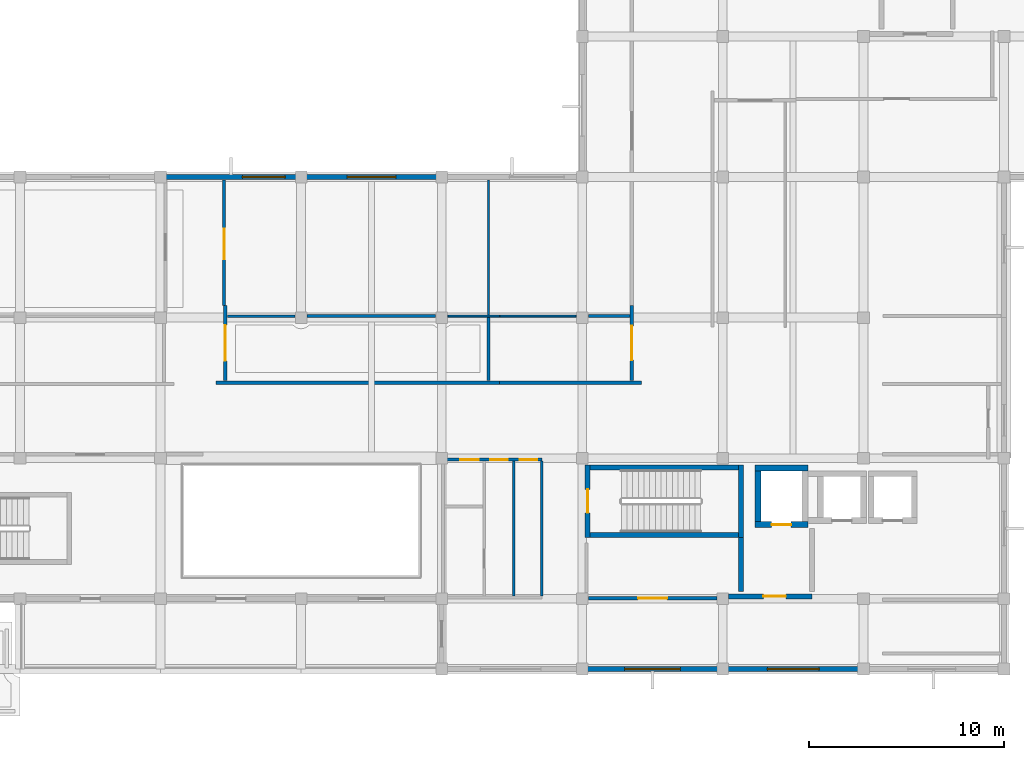
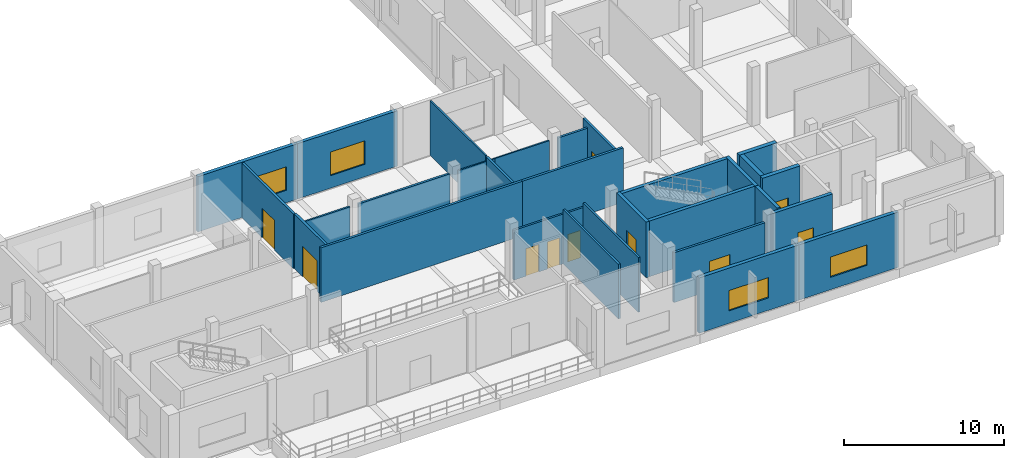
# One storey, part 5 of 14: 29 walls, 10 doors, 4 windows, 14 openings.
"""IFC4 building model written with IfcOpenShell, lengths in metres."""

from ifc_helpers import new_model, si_unit, direction, frame, frame_2d, origin, place, context, subcontext, project, spatial, rectangle, extrude, material, layer, layer_set, type_object, element, fill, save


model = new_model("IFC4")

# Units and contexts
model_context = context("Model", 3, precision=1e-05, world=origin(), true_north=direction((0.0, 1.0)))
body_context = subcontext(model_context, "Body", "Model", "MODEL_VIEW")
ifc_project = project(units=[si_unit("LENGTHUNIT", "METRE"), si_unit("AREAUNIT", "SQUARE_METRE"), si_unit("VOLUMEUNIT", "CUBIC_METRE"), si_unit("PLANEANGLEUNIT", "RADIAN"), si_unit("MASSUNIT", "GRAM", prefix="KILO")], contexts=[model_context])

# Site, building, storey
site_placement = place(None, origin())
site = spatial("IfcSite", under=ifc_project, at=site_placement, CompositionType="ELEMENT")
building_placement = place(site_placement, origin())
building = spatial("IfcBuilding", under=site, at=building_placement, Name="Seraya Terrace Polytechnic", CompositionType="ELEMENT")
storey_placement = place(building_placement, frame((0.0, 0.0, 27.89990234375)))
storey = spatial("IfcBuildingStorey", under=building, at=storey_placement, Name="L06", CompositionType="ELEMENT", Elevation=27.89990234375)

# Wall, opening, window
ifc_material_1 = material(Name="Precast concrete C40/50", Category="concrete")
ifc_layer_1 = layer(ifc_material_1, 0.260009765625, Name="EW-03")
ifc_layer_set_1 = layer_set([ifc_layer_1], Name="Precast concrete C40/50")
wall_type_1 = type_object("IfcWallType", Name="EW-03", PredefinedType="SOLIDWALL", material=ifc_layer_set_1)
wall_1_placement = place(storey_placement, frame((93.60009765625, 3.60009765625, 0.0), z_axis=(0.0, 0.0, 1.0), x_axis=(-1.0, 0.0, 0.0)))
wall_1 = element("IfcWall", 1, at=wall_1_placement, inside=storey, type_object=wall_type_1, Name="Exterior structural wall EW-03 L06", PredefinedType="SOLIDWALL", context=body_context, shape_type="SweptSolid", body=[
    extrude(rectangle(XDim=7.2001953125, YDim=0.260009765625, at=frame_2d((3.60009765625, 0.0))), origin(), (0.0, 0.0, 1.0), 4.22021484375),
])
opening_1_placement = place(wall_1_placement, frame((2.27490234375, 0.0, 0.949951171875)))
opening_1 = element("IfcOpeningElement", 2, at=opening_1_placement, cuts=wall_1, Name="Opening WN-22", PredefinedType="OPENING", context=body_context, shape_type="SweptSolid", body=[
    extrude(rectangle(XDim=2.64990234375, YDim=1.550048828125, at=frame_2d((1.324951171875, 0.77490234375))), frame((0.0, 0.14208984375, 0.0), z_axis=(0.0, -1.0, 0.0), x_axis=(1.0, 0.0, 0.0)), (0.0, 0.0, 1.0), 0.283935546875),
])
ifc_material_2 = material(Name="Laminated solar-control Low-E double glazing", Category="glass")
window_type_1 = type_object("IfcWindowType", Name="WN-22", PartitioningType="SINGLE_PANEL", PredefinedType="WINDOW", material=ifc_material_2)
window_1_placement = place(opening_1_placement, origin())
window_1 = element("IfcWindow", 3, at=window_1_placement, inside=storey, type_object=window_type_1, Name="Exterior window WN-22 L06", OverallHeight=1.550048828125, OverallWidth=2.64990234375, PartitioningType="SINGLE_PANEL", PredefinedType="WINDOW", context=body_context, shape_type="SweptSolid", body=[
    extrude(rectangle(XDim=2.64990234375, YDim=1.550048828125, at=frame_2d((1.324951171875, 0.77490234375))), frame((0.0, 0.030029296875, 0.0), z_axis=(0.0, -1.0, 0.0), x_axis=(1.0, 0.0, 0.0)), (0.0, 0.0, 1.0), 0.06005859375),
])
fill(opening_1, window_1)

wall_2_placement = place(storey_placement, frame((86.39990234375, 3.60009765625, 0.0), z_axis=(0.0, 0.0, 1.0), x_axis=(-1.0, 0.0, 0.0)))
wall_2 = element("IfcWall", 4, at=wall_2_placement, inside=storey, type_object=wall_type_1, Name="Exterior structural wall EW-03 L06", PredefinedType="SOLIDWALL", context=body_context, shape_type="SweptSolid", body=[
    extrude(rectangle(XDim=7.199951171875, YDim=0.260009765625, at=frame_2d((3.60009765625, 0.0))), origin(), (0.0, 0.0, 1.0), 4.22021484375),
])
opening_2_placement = place(wall_2_placement, frame((2.175048828125, 0.0, 0.949951171875)))
opening_2 = element("IfcOpeningElement", 5, at=opening_2_placement, cuts=wall_2, Name="Opening WN-23", PredefinedType="OPENING", context=body_context, shape_type="SweptSolid", body=[
    extrude(rectangle(XDim=2.85009765625, YDim=1.550048828125, at=frame_2d((1.425048828125, 0.77490234375))), frame((0.0, 0.14208984375, 0.0), z_axis=(0.0, -1.0, 0.0), x_axis=(1.0, 0.0, 0.0)), (0.0, 0.0, 1.0), 0.283935546875),
])
window_type_2 = type_object("IfcWindowType", Name="WN-23", PartitioningType="SINGLE_PANEL", PredefinedType="WINDOW", material=ifc_material_2)
window_2_placement = place(opening_2_placement, origin())
window_2 = element("IfcWindow", 6, at=window_2_placement, inside=storey, type_object=window_type_2, Name="Exterior window WN-23 L06", OverallHeight=1.550048828125, OverallWidth=2.85009765625, PartitioningType="SINGLE_PANEL", PredefinedType="WINDOW", context=body_context, shape_type="SweptSolid", body=[
    extrude(rectangle(XDim=2.85009765625, YDim=1.550048828125, at=frame_2d((1.425048828125, 0.77490234375))), frame((0.0, 0.030029296875, 0.0), z_axis=(0.0, -1.0, 0.0), x_axis=(1.0, 0.0, 0.0)), (0.0, 0.0, 1.0), 0.06005859375),
])
fill(opening_2, window_2)

wall_3_placement = place(storey_placement, frame((57.60009765625, 28.800048828125, 0.0), z_axis=(0.0, 0.0, 1.0), x_axis=(1.0, 0.0, 0.0)))
wall_3 = element("IfcWall", 7, at=wall_3_placement, inside=storey, type_object=wall_type_1, Name="Exterior structural wall EW-03 L06", PredefinedType="SOLIDWALL", context=body_context, shape_type="SweptSolid", body=[
    extrude(rectangle(XDim=7.199951171875, YDim=0.260009765625, at=frame_2d((3.60009765625, 0.0))), origin(), (0.0, 0.0, 1.0), 4.22021484375),
])
opening_3_placement = place(wall_3_placement, frame((4.18505859375, 0.0, 0.949951171875)))
opening_3 = element("IfcOpeningElement", 8, at=opening_3_placement, cuts=wall_3, Name="Opening WN-31", PredefinedType="OPENING", context=body_context, shape_type="SweptSolid", body=[
    extrude(rectangle(XDim=2.199951171875, YDim=1.800048828125, at=frame_2d((1.10009765625, 0.89990234375))), frame((0.0, 0.14208984375, 0.0), z_axis=(0.0, -1.0, 0.0), x_axis=(1.0, 0.0, 0.0)), (0.0, 0.0, 1.0), 0.283935546875),
])
window_type_3 = type_object("IfcWindowType", Name="WN-31", PartitioningType="SINGLE_PANEL", PredefinedType="WINDOW", material=ifc_material_2)
window_3_placement = place(opening_3_placement, origin())
window_3 = element("IfcWindow", 9, at=window_3_placement, inside=storey, type_object=window_type_3, Name="Exterior window WN-31 L06", OverallHeight=1.800048828125, OverallWidth=2.199951171875, PartitioningType="SINGLE_PANEL", PredefinedType="WINDOW", context=body_context, shape_type="SweptSolid", body=[
    extrude(rectangle(XDim=2.199951171875, YDim=1.800048828125, at=frame_2d((1.10009765625, 0.89990234375))), frame((0.0, 0.030029296875, 0.0), z_axis=(0.0, -1.0, 0.0), x_axis=(1.0, 0.0, 0.0)), (0.0, 0.0, 1.0), 0.06005859375),
])
fill(opening_3, window_3)

wall_4_placement = place(storey_placement, frame((64.800048828125, 28.800048828125, 0.0), z_axis=(0.0, 0.0, 1.0), x_axis=(1.0, 0.0, 0.0)))
wall_4 = element("IfcWall", 10, at=wall_4_placement, inside=storey, type_object=wall_type_1, Name="Exterior structural wall EW-03 L06", PredefinedType="SOLIDWALL", context=body_context, shape_type="SweptSolid", body=[
    extrude(rectangle(XDim=7.199951171875, YDim=0.260009765625, at=frame_2d((3.60009765625, 0.0))), origin(), (0.0, 0.0, 1.0), 4.22021484375),
])
opening_4_placement = place(wall_4_placement, frame((2.35009765625, 0.0, 0.949951171875)))
opening_4 = element("IfcOpeningElement", 11, at=opening_4_placement, cuts=wall_4, Name="Opening WN-32", PredefinedType="OPENING", context=body_context, shape_type="SweptSolid", body=[
    extrude(rectangle(XDim=2.5, YDim=1.800048828125, at=frame_2d((1.25, 0.89990234375))), frame((0.0, 0.14208984375, 0.0), z_axis=(0.0, -1.0, 0.0), x_axis=(1.0, 0.0, 0.0)), (0.0, 0.0, 1.0), 0.283935546875),
])
window_type_4 = type_object("IfcWindowType", Name="WN-32", PartitioningType="SINGLE_PANEL", PredefinedType="WINDOW", material=ifc_material_2)
window_4_placement = place(opening_4_placement, origin())
window_4 = element("IfcWindow", 12, at=window_4_placement, inside=storey, type_object=window_type_4, Name="Exterior window WN-32 L06", OverallHeight=1.800048828125, OverallWidth=2.5, PartitioningType="SINGLE_PANEL", PredefinedType="WINDOW", context=body_context, shape_type="SweptSolid", body=[
    extrude(rectangle(XDim=2.5, YDim=1.800048828125, at=frame_2d((1.25, 0.89990234375))), frame((0.0, 0.030029296875, 0.0), z_axis=(0.0, -1.0, 0.0), x_axis=(1.0, 0.0, 0.0)), (0.0, 0.0, 1.0), 0.06005859375),
])
fill(opening_4, window_4)

# Walls
ifc_material_3 = material(Name="Autoclaved aerated concrete blockwork", Category="masonry")
ifc_layer_2 = layer(ifc_material_3, 0.169921875, Name="PT-02")
ifc_layer_set_2 = layer_set([ifc_layer_2], Name="Autoclaved aerated concrete blockwork")
wall_type_2 = type_object("IfcWallType", Name="PT-02", PredefinedType="PARTITIONING", material=ifc_layer_set_2)
wall_5_placement = place(storey_placement, frame((60.429931640625, 18.27001953125, 0.0), z_axis=(0.0, 0.0, 1.0), x_axis=(1.0, 0.0, 0.0)))
element("IfcWall", 13, at=wall_5_placement, inside=storey, type_object=wall_type_2, Name="Internal partition PT-02 L06", PredefinedType="PARTITIONING", context=body_context, shape_type="SweptSolid", body=[
    extrude(rectangle(XDim=14.530029296875, YDim=0.169921875, at=frame_2d((7.26513671875, 0.0))), origin(), (0.0, 0.0, 1.0), 4.16015625),
])
wall_6_placement = place(storey_placement, frame((74.9599609375, 18.27001953125, 0.0), z_axis=(0.0, 0.0, 1.0), x_axis=(1.0, 0.0, 0.0)))
element("IfcWall", 14, at=wall_6_placement, inside=storey, type_object=wall_type_2, Name="Internal partition PT-02 L06", PredefinedType="PARTITIONING", context=body_context, shape_type="SweptSolid", body=[
    extrude(rectangle(XDim=7.273681640625, YDim=0.169921875, at=frame_2d((3.63671875, 0.0))), origin(), (0.0, 0.0, 1.0), 4.16015625),
])

# Wall, opening, door
wall_7_placement = place(storey_placement, frame((79.510009765625, 7.219970703125, 0.0), z_axis=(0.0, 0.0, 1.0), x_axis=(1.0, 0.0, 0.0)))
wall_7 = element("IfcWall", 15, at=wall_7_placement, inside=storey, type_object=wall_type_2, Name="Internal partition PT-02 L06", PredefinedType="PARTITIONING", context=body_context, shape_type="SweptSolid", body=[
    extrude(rectangle(XDim=6.580078125, YDim=0.169921875, at=frame_2d((3.2900390625, 0.0))), origin(), (0.0, 0.0, 1.0), 3.800048828125),
])
opening_5_placement = place(wall_7_placement, frame((2.550048828125, 0.0, 0.0)))
opening_5 = element("IfcOpeningElement", 16, at=opening_5_placement, cuts=wall_7, Name="Opening ID-11", PredefinedType="OPENING", context=body_context, shape_type="SweptSolid", body=[
    extrude(rectangle(XDim=1.47998046875, YDim=2.260009765625, at=frame_2d((0.739990234375, 1.1298828125))), frame((0.0, 0.096923828125, 0.0), z_axis=(0.0, -1.0, 0.0), x_axis=(1.0, 0.0, 0.0)), (0.0, 0.0, 1.0), 0.19384765625),
])
ifc_material_4 = material(Name="Malaysian dark red meranti hardwood timber D40", Category="wood")
door_type_1 = type_object("IfcDoorType", Name="ID-11", OperationType="DOUBLE_DOOR_SINGLE_SWING", PredefinedType="DOOR", material=ifc_material_4)
door_1_placement = place(opening_5_placement, origin())
door_1 = element("IfcDoor", 17, at=door_1_placement, inside=storey, type_object=door_type_1, Name="Door ID-11 DR-INT-L06-0264 in WL-INT-L06-0754", OperationType="DOUBLE_DOOR_SINGLE_SWING", OverallHeight=2.260009765625, OverallWidth=1.47998046875, PredefinedType="DOOR", context=body_context, shape_type="SweptSolid", body=[
    extrude(rectangle(XDim=1.47998046875, YDim=2.260009765625, at=frame_2d((0.739990234375, 1.1298828125))), frame((0.0, 0.02490234375, 0.0), z_axis=(0.0, -1.0, 0.0), x_axis=(1.0, 0.0, 0.0)), (0.0, 0.0, 1.0), 0.050048828125),
])
fill(opening_5, door_1)

wall_8_placement = place(storey_placement, frame((81.73681640625, 18.3701171875, 0.0), z_axis=(0.0, 0.0, 1.0), x_axis=(0.0, 1.0, 0.0)))
wall_8 = element("IfcWall", 18, at=wall_8_placement, inside=storey, type_object=wall_type_2, Name="Internal partition PT-02 L06", PredefinedType="PARTITIONING", context=body_context, shape_type="SweptSolid", body=[
    extrude(rectangle(XDim=3.86328125, YDim=0.169921875, at=frame_2d((1.931640625, 0.0))), origin(), (0.0, 0.0, 1.0), 4.16015625),
])
opening_6_placement = place(wall_8_placement, frame((1.051513671875, 0.0, 0.0)))
opening_6 = element("IfcOpeningElement", 19, at=opening_6_placement, cuts=wall_8, Name="Opening ID-14", PredefinedType="OPENING", context=body_context, shape_type="SweptSolid", body=[
    extrude(rectangle(XDim=1.760009765625, YDim=2.300048828125, at=frame_2d((0.8798828125, 1.14990234375))), frame((0.0, 0.096923828125, 0.0), z_axis=(0.0, -1.0, 0.0), x_axis=(1.0, 0.0, 0.0)), (0.0, 0.0, 1.0), 0.19384765625),
])
door_type_2 = type_object("IfcDoorType", Name="ID-14", OperationType="DOUBLE_DOOR_SINGLE_SWING", PredefinedType="DOOR", material=ifc_material_4)
door_2_placement = place(opening_6_placement, frame((1.760009765625, 0.0, 0.0), z_axis=(0.0, 0.0, 1.0), x_axis=(-1.0, 0.0, 0.0)))
door_2 = element("IfcDoor", 20, at=door_2_placement, inside=storey, type_object=door_type_2, Name="Door ID-14 DR-INT-L06-0267 in WL-INT-L06-0757", OperationType="DOUBLE_DOOR_SINGLE_SWING", OverallHeight=2.300048828125, OverallWidth=1.760009765625, PredefinedType="DOOR", context=body_context, shape_type="SweptSolid", body=[
    extrude(rectangle(XDim=1.760009765625, YDim=2.300048828125, at=frame_2d((0.8798828125, 1.14990234375))), frame((0.0, 0.02490234375, 0.0), z_axis=(0.0, -1.0, 0.0), x_axis=(1.0, 0.0, 0.0)), (0.0, 0.0, 1.0), 0.050048828125),
])
fill(opening_6, door_2)

wall_9_placement = place(storey_placement, frame((60.919921875, 18.3701171875, 0.0), z_axis=(0.0, 0.0, 1.0), x_axis=(0.0, 1.0, 0.0)))
wall_9 = element("IfcWall", 21, at=wall_9_placement, inside=storey, type_object=wall_type_2, Name="Internal partition PT-02 L06", PredefinedType="PARTITIONING", context=body_context, shape_type="SweptSolid", body=[
    extrude(rectangle(XDim=3.86328125, YDim=0.169921875, at=frame_2d((1.931640625, 0.0))), origin(), (0.0, 0.0, 1.0), 4.16015625),
])
opening_7_placement = place(wall_9_placement, frame((1.01171875, 0.0, 0.0)))
opening_7 = element("IfcOpeningElement", 22, at=opening_7_placement, cuts=wall_9, Name="Opening ID-15", PredefinedType="OPENING", context=body_context, shape_type="SweptSolid", body=[
    extrude(rectangle(XDim=1.840087890625, YDim=2.300048828125, at=frame_2d((0.919921875, 1.14990234375))), frame((0.0, 0.096923828125, 0.0), z_axis=(0.0, -1.0, 0.0), x_axis=(1.0, 0.0, 0.0)), (0.0, 0.0, 1.0), 0.19384765625),
])
door_type_3 = type_object("IfcDoorType", Name="ID-15", OperationType="DOUBLE_DOOR_SINGLE_SWING", PredefinedType="DOOR", material=ifc_material_4)
door_3_placement = place(opening_7_placement, origin())
door_3 = element("IfcDoor", 23, at=door_3_placement, inside=storey, type_object=door_type_3, Name="Door ID-15 DR-INT-L06-0268 in WL-INT-L06-0765", OperationType="DOUBLE_DOOR_SINGLE_SWING", OverallHeight=2.300048828125, OverallWidth=1.840087890625, PredefinedType="DOOR", context=body_context, shape_type="SweptSolid", body=[
    extrude(rectangle(XDim=1.840087890625, YDim=2.300048828125, at=frame_2d((0.919921875, 1.14990234375))), frame((0.0, 0.02490234375, 0.0), z_axis=(0.0, -1.0, 0.0), x_axis=(1.0, 0.0, 0.0)), (0.0, 0.0, 1.0), 0.050048828125),
])
fill(opening_7, door_3)

wall_10_placement = place(storey_placement, frame((60.85009765625, 22.2333984375, 0.0), z_axis=(0.0, 0.0, 1.0), x_axis=(0.0, 1.0, 0.0)))
wall_10 = element("IfcWall", 24, at=wall_10_placement, inside=storey, type_object=wall_type_2, Name="Internal partition PT-02 L06", PredefinedType="PARTITIONING", context=body_context, shape_type="SweptSolid", body=[
    extrude(rectangle(XDim=6.424560546875, YDim=0.169921875, at=frame_2d((3.21240234375, 0.0))), origin(), (0.0, 0.0, 1.0), 4.16015625),
])
opening_8_placement = place(wall_10_placement, frame((2.348388671875, 0.0, 0.0)))
opening_8 = element("IfcOpeningElement", 25, at=opening_8_placement, cuts=wall_10, Name="Opening ID-12", PredefinedType="OPENING", context=body_context, shape_type="SweptSolid", body=[
    extrude(rectangle(XDim=1.56005859375, YDim=2.260009765625, at=frame_2d((0.780029296875, 1.1298828125))), frame((0.0, 0.096923828125, 0.0), z_axis=(0.0, -1.0, 0.0), x_axis=(1.0, 0.0, 0.0)), (0.0, 0.0, 1.0), 0.19384765625),
])
door_type_4 = type_object("IfcDoorType", Name="ID-12", OperationType="DOUBLE_DOOR_SINGLE_SWING", PredefinedType="DOOR", material=ifc_material_4)
door_4_placement = place(opening_8_placement, frame((1.56005859375, 0.0, 0.0), z_axis=(0.0, 0.0, 1.0), x_axis=(-1.0, 0.0, 0.0)))
door_4 = element("IfcDoor", 26, at=door_4_placement, inside=storey, type_object=door_type_4, Name="Door ID-12 DR-INT-L06-0265 in WL-INT-L06-0766", OperationType="DOUBLE_DOOR_SINGLE_SWING", OverallHeight=2.260009765625, OverallWidth=1.56005859375, PredefinedType="DOOR", context=body_context, shape_type="SweptSolid", body=[
    extrude(rectangle(XDim=1.56005859375, YDim=2.260009765625, at=frame_2d((0.780029296875, 1.1298828125))), frame((0.0, 0.02490234375, 0.0), z_axis=(0.0, -1.0, 0.0), x_axis=(1.0, 0.0, 0.0)), (0.0, 0.0, 1.0), 0.050048828125),
])
fill(opening_8, door_4)

# Walls
ifc_layer_3 = layer(ifc_material_3, 0.14990234375, Name="PT-03")
ifc_layer_set_3 = layer_set([ifc_layer_3], Name="Autoclaved aerated concrete blockwork")
wall_type_3 = type_object("IfcWallType", Name="PT-03", PredefinedType="PARTITIONING", material=ifc_layer_set_3)
wall_11_placement = place(storey_placement, frame((65.110107421875, 21.67333984375, 0.0), z_axis=(0.0, 0.0, 1.0), x_axis=(1.0, 0.0, 0.0)))
element("IfcWall", 27, at=wall_11_placement, inside=storey, type_object=wall_type_3, Name="Internal partition PT-03 L06", PredefinedType="PARTITIONING", context=body_context, shape_type="SweptSolid", body=[
    extrude(rectangle(XDim=6.579833984375, YDim=0.14990234375, at=frame_2d((3.2900390625, 0.0))), origin(), (0.0, 0.0, 1.0), 3.800048828125),
])
wall_12_placement = place(storey_placement, frame((74.39990234375, 18.3701171875, 0.0), z_axis=(0.0, 0.0, 1.0), x_axis=(0.0, 1.0, 0.0)))
element("IfcWall", 28, at=wall_12_placement, inside=storey, type_object=wall_type_3, Name="Internal partition PT-03 L06", PredefinedType="PARTITIONING", context=body_context, shape_type="SweptSolid", body=[
    extrude(rectangle(XDim=3.23828125, YDim=0.14990234375, at=frame_2d((1.619140625, 0.0))), origin(), (0.0, 0.0, 1.0), 4.16015625),
])
wall_13_placement = place(storey_placement, frame((79.510009765625, 21.67333984375, 0.0), z_axis=(0.0, 0.0, 1.0), x_axis=(1.0, 0.0, 0.0)))
element("IfcWall", 29, at=wall_13_placement, inside=storey, type_object=wall_type_3, Name="Internal partition PT-03 L06", PredefinedType="PARTITIONING", context=body_context, shape_type="SweptSolid", body=[
    extrude(rectangle(XDim=2.126708984375, YDim=0.14990234375, at=frame_2d((1.0634765625, 0.0))), origin(), (0.0, 0.0, 1.0), 3.800048828125),
])

# Wall, openings, doors
ifc_layer_4 = layer(ifc_material_3, 0.139892578125, Name="PT-04")
ifc_layer_set_4 = layer_set([ifc_layer_4], Name="Autoclaved aerated concrete blockwork")
wall_type_4 = type_object("IfcWallType", Name="PT-04", PredefinedType="PARTITIONING", material=ifc_layer_set_4)
wall_14_placement = place(storey_placement, frame((72.070068359375, 14.330078125, 0.0), z_axis=(0.0, 0.0, 1.0), x_axis=(1.0, 0.0, 0.0)))
wall_14 = element("IfcWall", 30, at=wall_14_placement, inside=storey, type_object=wall_type_4, Name="Sanitary WC-A North wall L06", PredefinedType="PARTITIONING", context=body_context, shape_type="SweptSolid", body=[
    extrude(rectangle(XDim=5.059814453125, YDim=0.139892578125, at=frame_2d((2.52978515625, 0.0))), origin(), (0.0, 0.0, 1.0), 3.800048828125),
])
opening_9_placement = place(wall_14_placement, frame((0.8798828125, 0.0, 0.0)))
opening_9 = element("IfcOpeningElement", 31, at=opening_9_placement, cuts=wall_14, Name="Opening ID-01", PredefinedType="OPENING", context=body_context, shape_type="SweptSolid", body=[
    extrude(rectangle(XDim=0.93994140625, YDim=2.10009765625, at=frame_2d((0.469970703125, 1.050048828125))), frame((0.0, 0.08203125, 0.0), z_axis=(0.0, -1.0, 0.0), x_axis=(1.0, 0.0, 0.0)), (0.0, 0.0, 1.0), 0.163818359375),
])
opening_10_placement = place(wall_14_placement, frame((2.4150390625, 0.0, 0.0)))
opening_10 = element("IfcOpeningElement", 32, at=opening_10_placement, cuts=wall_14, Name="Opening ID-02", PredefinedType="OPENING", context=body_context, shape_type="SweptSolid", body=[
    extrude(rectangle(XDim=0.89990234375, YDim=2.080078125, at=frame_2d((0.449951171875, 1.0400390625))), frame((0.0, 0.08203125, 0.0), z_axis=(0.0, -1.0, 0.0), x_axis=(1.0, 0.0, 0.0)), (0.0, 0.0, 1.0), 0.163818359375),
])
opening_11_placement = place(wall_14_placement, frame((3.925048828125, 0.0, 0.0)))
opening_11 = element("IfcOpeningElement", 33, at=opening_11_placement, cuts=wall_14, Name="Opening ID-02", PredefinedType="OPENING", context=body_context, shape_type="SweptSolid", body=[
    extrude(rectangle(XDim=0.89990234375, YDim=2.080078125, at=frame_2d((0.449951171875, 1.0400390625))), frame((0.0, 0.08203125, 0.0), z_axis=(0.0, -1.0, 0.0), x_axis=(1.0, 0.0, 0.0)), (0.0, 0.0, 1.0), 0.163818359375),
])
door_type_5 = type_object("IfcDoorType", Name="ID-01", OperationType="NOTDEFINED", PredefinedType="DOOR", material=ifc_material_4)
door_5_placement = place(opening_9_placement, origin())
door_5 = element("IfcDoor", 34, at=door_5_placement, inside=storey, type_object=door_type_5, Name="Door ID-01 DR-WC-WC-A-L06-OKU in WL-WC-WC-A-L06-N", OperationType="SINGLE_SWING_LEFT", OverallHeight=2.10009765625, OverallWidth=0.93994140625, PredefinedType="DOOR", context=body_context, shape_type="SweptSolid", body=[
    extrude(rectangle(XDim=0.93994140625, YDim=2.10009765625, at=frame_2d((0.469970703125, 1.050048828125))), frame((0.0, 0.02490234375, 0.0), z_axis=(0.0, -1.0, 0.0), x_axis=(1.0, 0.0, 0.0)), (0.0, 0.0, 1.0), 0.050048828125),
])
fill(opening_9, door_5)
door_type_6 = type_object("IfcDoorType", Name="ID-02", OperationType="NOTDEFINED", PredefinedType="DOOR", material=ifc_material_4)
door_6_placement = place(opening_10_placement, frame((0.89990234375, 0.0, 0.0), z_axis=(0.0, 0.0, 1.0), x_axis=(-1.0, 0.0, 0.0)))
door_6 = element("IfcDoor", 35, at=door_6_placement, inside=storey, type_object=door_type_6, Name="Door ID-02 DR-WC-WC-A-L06-M in WL-WC-WC-A-L06-N", OperationType="SINGLE_SWING_RIGHT", OverallHeight=2.080078125, OverallWidth=0.89990234375, PredefinedType="DOOR", context=body_context, shape_type="SweptSolid", body=[
    extrude(rectangle(XDim=0.89990234375, YDim=2.080078125, at=frame_2d((0.449951171875, 1.0400390625))), frame((0.0, 0.02490234375, 0.0), z_axis=(0.0, -1.0, 0.0), x_axis=(1.0, 0.0, 0.0)), (0.0, 0.0, 1.0), 0.050048828125),
])
fill(opening_10, door_6)
door_7_placement = place(opening_11_placement, frame((0.89990234375, 0.0, 0.0), z_axis=(0.0, 0.0, 1.0), x_axis=(-1.0, 0.0, 0.0)))
door_7 = element("IfcDoor", 36, at=door_7_placement, inside=storey, type_object=door_type_6, Name="Door ID-02 DR-WC-WC-A-L06-F in WL-WC-WC-A-L06-N", OperationType="SINGLE_SWING_LEFT", OverallHeight=2.080078125, OverallWidth=0.89990234375, PredefinedType="DOOR", context=body_context, shape_type="SweptSolid", body=[
    extrude(rectangle(XDim=0.89990234375, YDim=2.080078125, at=frame_2d((0.449951171875, 1.0400390625))), frame((0.0, 0.02490234375, 0.0), z_axis=(0.0, -1.0, 0.0), x_axis=(1.0, 0.0, 0.0)), (0.0, 0.0, 1.0), 0.050048828125),
])
fill(opening_11, door_7)

# Walls
for number, where, z_axis, x_axis, name in (
    (37, (77.1298828125, 7.35009765625, 0.0), (0.0, 0.0, 1.0), (0.0, 1.0, 0.0), "Sanitary WC-A East wall L06"),
    (38, (75.68994140625, 7.35009765625, 0.0), (0.0, 0.0, 1.0), (0.0, 1.0, 0.0), "Sanitary WC-A Male/Female divider L06"),
):
    element("IfcWall", number, at=place(storey_placement, frame(where, z_axis=z_axis, x_axis=x_axis)), inside=storey, type_object=wall_type_4, Name=name, PredefinedType="PARTITIONING", context=body_context, shape_type="SweptSolid", body=[
        extrude(rectangle(XDim=6.89990234375, YDim=0.139892578125, at=frame_2d((3.449951171875, 0.0))), origin(), (0.0, 0.0, 1.0), 4.16015625),
    ])
ifc_layer_5 = layer(ifc_material_3, 0.1201171875, Name="PT-05")
ifc_layer_set_5 = layer_set([ifc_layer_5], Name="Autoclaved aerated concrete blockwork")
wall_type_5 = type_object("IfcWallType", Name="PT-05", PredefinedType="PARTITIONING", material=ifc_layer_set_5)
wall_15_placement = place(storey_placement, frame((61.02001953125, 21.67333984375, 0.0), z_axis=(0.0, 0.0, 1.0), x_axis=(1.0, 0.0, 0.0)))
element("IfcWall", 39, at=wall_15_placement, inside=storey, type_object=wall_type_5, Name="Internal partition PT-05 L06", PredefinedType="PARTITIONING", context=body_context, shape_type="SweptSolid", body=[
    extrude(rectangle(XDim=3.469970703125, YDim=0.1201171875, at=frame_2d((1.73486328125, 0.0))), origin(), (0.0, 0.0, 1.0), 3.800048828125),
])
wall_16_placement = place(storey_placement, frame((74.39990234375, 21.73828125, 0.0), z_axis=(0.0, 0.0, 1.0), x_axis=(0.0, 1.0, 0.0)))
element("IfcWall", 40, at=wall_16_placement, inside=storey, type_object=wall_type_5, Name="Internal partition PT-05 L06", PredefinedType="PARTITIONING", context=body_context, shape_type="SweptSolid", body=[
    extrude(rectangle(XDim=6.919677734375, YDim=0.1201171875, at=frame_2d((3.4599609375, 0.0))), origin(), (0.0, 0.0, 1.0), 4.16015625),
])
ifc_layer_6 = layer(ifc_material_3, 0.10009765625, Name="PT-06")
ifc_layer_set_6 = layer_set([ifc_layer_6], Name="Autoclaved aerated concrete blockwork")
wall_type_6 = type_object("IfcWallType", Name="PT-06", PredefinedType="PARTITIONING", material=ifc_layer_set_6)
wall_17_placement = place(storey_placement, frame((72.31005859375, 21.67333984375, 0.0), z_axis=(0.0, 0.0, 1.0), x_axis=(1.0, 0.0, 0.0)))
element("IfcWall", 41, at=wall_17_placement, inside=storey, type_object=wall_type_6, Name="Internal partition PT-06 L06", PredefinedType="PARTITIONING", context=body_context, shape_type="SweptSolid", body=[
    extrude(rectangle(XDim=2.64990234375, YDim=0.10009765625, at=frame_2d((1.324951171875, 0.0))), origin(), (0.0, 0.0, 1.0), 3.800048828125),
])
wall_18_placement = place(storey_placement, frame((74.9599609375, 21.67333984375, 0.0), z_axis=(0.0, 0.0, 1.0), x_axis=(1.0, 0.0, 0.0)))
element("IfcWall", 42, at=wall_18_placement, inside=storey, type_object=wall_type_6, Name="Internal partition PT-06 L06", PredefinedType="PARTITIONING", context=body_context, shape_type="SweptSolid", body=[
    extrude(rectangle(XDim=3.929931640625, YDim=0.10009765625, at=frame_2d((1.96484375, 0.0))), origin(), (0.0, 0.0, 1.0), 3.800048828125),
])

# Wall, opening, door
ifc_material_5 = material(Name="Concrete C40/50", Category="concrete")
ifc_layer_7 = layer(ifc_material_5, 0.300048828125, Name="SW-01")
ifc_layer_set_7 = layer_set([ifc_layer_7], Name="Concrete C40/50")
wall_type_7 = type_object("IfcWallType", Name="SW-01", PredefinedType="SHEAR", material=ifc_layer_set_7)
wall_19_placement = place(storey_placement, frame((88.050048828125, 11.0, 0.0), z_axis=(0.0, 0.0, 1.0), x_axis=(1.0, 0.0, 0.0)))
wall_19 = element("IfcWall", 43, at=wall_19_placement, inside=storey, type_object=wall_type_7, Name="Lift shaft FL-01 South wall L06", PredefinedType="SHEAR", context=body_context, shape_type="SweptSolid", body=[
    extrude(rectangle(XDim=2.699951171875, YDim=0.300048828125, at=frame_2d((1.35009765625, 0.0))), origin(), (0.0, 0.0, 1.0), 4.25),
])
opening_12_placement = place(wall_19_placement, frame((0.85009765625, 0.0, 0.0)))
opening_12 = element("IfcOpeningElement", 44, at=opening_12_placement, cuts=wall_19, Name="Opening LD-01", PredefinedType="OPENING", context=body_context, shape_type="SweptSolid", body=[
    extrude(rectangle(XDim=1.0, YDim=2.10009765625, at=frame_2d((0.5, 1.050048828125))), frame((0.0, 0.162109375, 0.0), z_axis=(0.0, -1.0, 0.0), x_axis=(1.0, 0.0, 0.0)), (0.0, 0.0, 1.0), 0.323974609375),
])
ifc_material_6 = material(Name="Steel S355J2", Category="steel")
door_type_7 = type_object("IfcDoorType", Name="LD-01", OperationType="SLIDING_TO_LEFT", PredefinedType="DOOR", material=ifc_material_6)
door_8_placement = place(opening_12_placement, frame((1.0, 0.0, 0.0), z_axis=(0.0, 0.0, 1.0), x_axis=(-1.0, 0.0, 0.0)))
door_8 = element("IfcDoor", 45, at=door_8_placement, inside=storey, type_object=door_type_7, Name="Door LD-01 LD-FL-01-L06 in WL-SHF-FL-01-L06-S", OperationType="SLIDING_TO_LEFT", OverallHeight=2.10009765625, OverallWidth=1.0, PredefinedType="DOOR", context=body_context, shape_type="SweptSolid", body=[
    extrude(rectangle(XDim=1.0, YDim=2.10009765625, at=frame_2d((0.5, 1.050048828125))), frame((0.0, 0.02490234375, 0.0), z_axis=(0.0, -1.0, 0.0), x_axis=(1.0, 0.0, 0.0)), (0.0, 0.0, 1.0), 0.050048828125),
])
fill(opening_12, door_8)

# Walls
wall_20_placement = place(storey_placement, frame((88.050048828125, 13.89990234375, 0.0), z_axis=(0.0, 0.0, 1.0), x_axis=(1.0, 0.0, 0.0)))
element("IfcWall", 46, at=wall_20_placement, inside=storey, type_object=wall_type_7, Name="Lift shaft FL-01 North wall L06", PredefinedType="SHEAR", context=body_context, shape_type="SweptSolid", body=[
    extrude(rectangle(XDim=2.699951171875, YDim=0.300048828125, at=frame_2d((1.35009765625, 0.0))), origin(), (0.0, 0.0, 1.0), 4.25),
])
wall_21_placement = place(storey_placement, frame((88.199951171875, 11.14990234375, 0.0), z_axis=(0.0, 0.0, 1.0), x_axis=(0.0, 1.0, 0.0)))
element("IfcWall", 47, at=wall_21_placement, inside=storey, type_object=wall_type_7, Name="Lift shaft FL-01 West wall L06", PredefinedType="SHEAR", context=body_context, shape_type="SweptSolid", body=[
    extrude(rectangle(XDim=2.60009765625, YDim=0.300048828125, at=frame_2d((1.300048828125, 0.0))), origin(), (0.0, 0.0, 1.0), 4.25),
])

# Wall, opening, door
ifc_layer_8 = layer(ifc_material_5, 0.25, Name="SW-02")
ifc_layer_set_8 = layer_set([ifc_layer_8], Name="Concrete C40/50")
wall_type_8 = type_object("IfcWallType", Name="SW-02", PredefinedType="SHEAR", material=ifc_layer_set_8)
wall_22_placement = place(storey_placement, frame((79.47509765625, 10.35009765625, 0.0), z_axis=(0.0, 0.0, 1.0), x_axis=(0.0, 1.0, 0.0)))
wall_22 = element("IfcWall", 48, at=wall_22_placement, inside=storey, type_object=wall_type_8, Name="Stairwell ST-01 West wall L06", PredefinedType="SHEAR", context=body_context, shape_type="SweptSolid", body=[
    extrude(rectangle(XDim=3.699951171875, YDim=0.25, at=frame_2d((1.85009765625, 0.0))), origin(), (0.0, 0.0, 1.0), 4.25),
])
opening_13_placement = place(wall_22_placement, frame((1.25, 0.0, 0.0)))
opening_13 = element("IfcOpeningElement", 49, at=opening_13_placement, cuts=wall_22, Name="Opening FD-01", PredefinedType="OPENING", context=body_context, shape_type="SweptSolid", body=[
    extrude(rectangle(XDim=1.199951171875, YDim=2.14990234375, at=frame_2d((0.60009765625, 1.074951171875))), frame((0.0, 0.136962890625, 0.0), z_axis=(0.0, -1.0, 0.0), x_axis=(1.0, 0.0, 0.0)), (0.0, 0.0, 1.0), 0.27392578125),
])
door_type_8 = type_object("IfcDoorType", Name="FD-01", OperationType="NOTDEFINED", PredefinedType="DOOR", material=ifc_material_6)
door_9_placement = place(opening_13_placement, frame((1.199951171875, 0.0, 0.0), z_axis=(0.0, 0.0, 1.0), x_axis=(-1.0, 0.0, 0.0)))
door_9 = element("IfcDoor", 50, at=door_9_placement, inside=storey, type_object=door_type_8, Name="Door FD-01 DR-STR-ST-01-L06 in WL-STR-ST-01-L06-W", OperationType="SINGLE_SWING_RIGHT", OverallHeight=2.14990234375, OverallWidth=1.199951171875, PredefinedType="DOOR", context=body_context, shape_type="SweptSolid", body=[
    extrude(rectangle(XDim=1.199951171875, YDim=2.14990234375, at=frame_2d((0.60009765625, 1.074951171875))), frame((0.0, 0.02490234375, 0.0), z_axis=(0.0, -1.0, 0.0), x_axis=(1.0, 0.0, 0.0)), (0.0, 0.0, 1.0), 0.050048828125),
])
fill(opening_13, door_9)

# Walls
wall_23_placement = place(storey_placement, frame((87.324951171875, 10.35009765625, 0.0), z_axis=(0.0, 0.0, 1.0), x_axis=(0.0, 1.0, 0.0)))
element("IfcWall", 51, at=wall_23_placement, inside=storey, type_object=wall_type_8, Name="Stairwell ST-01 East wall L06", PredefinedType="SHEAR", context=body_context, shape_type="SweptSolid", body=[
    extrude(rectangle(XDim=3.699951171875, YDim=0.25, at=frame_2d((1.85009765625, 0.0))), origin(), (0.0, 0.0, 1.0), 4.25),
])
for number, where, z_axis, x_axis, name in (
    (52, (79.60009765625, 10.47509765625, 0.0), (0.0, 0.0, 1.0), (1.0, 0.0, 0.0), "Stairwell ST-01 South wall L06"),
    (53, (79.60009765625, 13.925048828125, 0.0), (0.0, 0.0, 1.0), (1.0, 0.0, 0.0), "Stairwell ST-01 North wall L06"),
):
    element("IfcWall", number, at=place(storey_placement, frame(where, z_axis=z_axis, x_axis=x_axis)), inside=storey, type_object=wall_type_8, Name=name, PredefinedType="SHEAR", context=body_context, shape_type="SweptSolid", body=[
        extrude(rectangle(XDim=7.599853515625, YDim=0.25, at=frame_2d((3.7998046875, 0.0))), origin(), (0.0, 0.0, 1.0), 4.25),
    ])

# Wall, opening, door
wall_24_placement = place(storey_placement, frame((86.699951171875, 7.324951171875, 0.0), z_axis=(0.0, 0.0, 1.0), x_axis=(1.0, 0.0, 0.0)))
wall_24 = element("IfcWall", 54, at=wall_24_placement, inside=storey, type_object=wall_type_8, Name="Firefighting lobby A South wall L06", PredefinedType="SHEAR", context=body_context, shape_type="SweptSolid", body=[
    extrude(rectangle(XDim=4.275146484375, YDim=0.25, at=frame_2d((2.1376953125, 0.0))), origin(), (0.0, 0.0, 1.0), 4.25),
])
opening_14_placement = place(wall_24_placement, frame((1.77490234375, 0.0, 0.0)))
opening_14 = element("IfcOpeningElement", 55, at=opening_14_placement, cuts=wall_24, Name="Opening FD-02", PredefinedType="OPENING", context=body_context, shape_type="SweptSolid", body=[
    extrude(rectangle(XDim=1.14990234375, YDim=2.14990234375, at=frame_2d((0.574951171875, 1.074951171875))), frame((0.0, 0.136962890625, 0.0), z_axis=(0.0, -1.0, 0.0), x_axis=(1.0, 0.0, 0.0)), (0.0, 0.0, 1.0), 0.27392578125),
])
door_type_9 = type_object("IfcDoorType", Name="FD-02", OperationType="NOTDEFINED", PredefinedType="DOOR", material=ifc_material_6)
door_10_placement = place(opening_14_placement, frame((1.14990234375, 0.0, 0.0), z_axis=(0.0, 0.0, 1.0), x_axis=(-1.0, 0.0, 0.0)))
door_10 = element("IfcDoor", 56, at=door_10_placement, inside=storey, type_object=door_type_9, Name="Door FD-02 DR-FFL-CORE-A-L06 in WL-FFL-CORE-A-L06-S", OperationType="SINGLE_SWING_RIGHT", OverallHeight=2.14990234375, OverallWidth=1.14990234375, PredefinedType="DOOR", context=body_context, shape_type="SweptSolid", body=[
    extrude(rectangle(XDim=1.14990234375, YDim=2.14990234375, at=frame_2d((0.574951171875, 1.074951171875))), frame((0.0, 0.02490234375, 0.0), z_axis=(0.0, -1.0, 0.0), x_axis=(1.0, 0.0, 0.0)), (0.0, 0.0, 1.0), 0.050048828125),
])
fill(opening_14, door_10)

# Wall
wall_25_placement = place(storey_placement, frame((87.324951171875, 7.574951171875, 0.0), z_axis=(0.0, 0.0, 1.0), x_axis=(0.0, 1.0, 0.0)))
element("IfcWall", 57, at=wall_25_placement, inside=storey, type_object=wall_type_8, Name="Firefighting lobby A West wall L06", PredefinedType="SHEAR", context=body_context, shape_type="SweptSolid", body=[
    extrude(rectangle(XDim=2.77001953125, YDim=0.25, at=frame_2d((1.385009765625, 0.0))), origin(), (0.0, 0.0, 1.0), 4.25),
])

save(model, "model.ifc")
